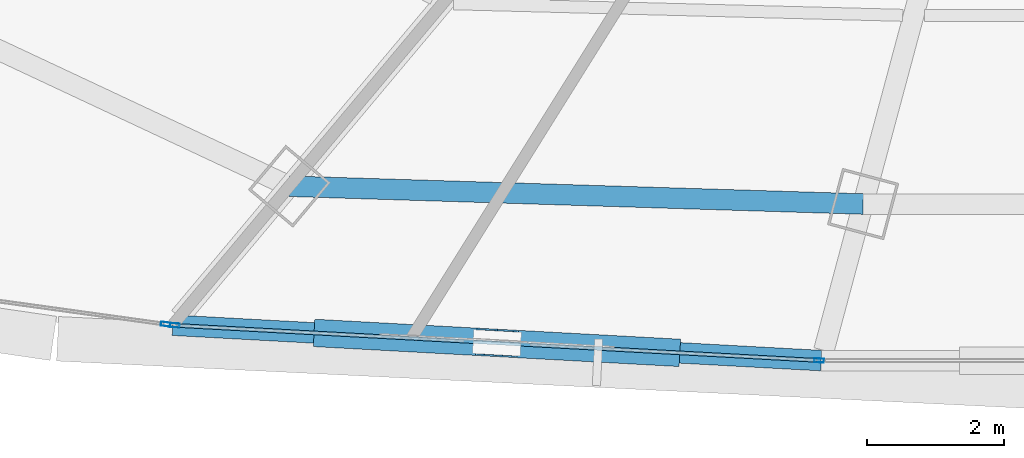
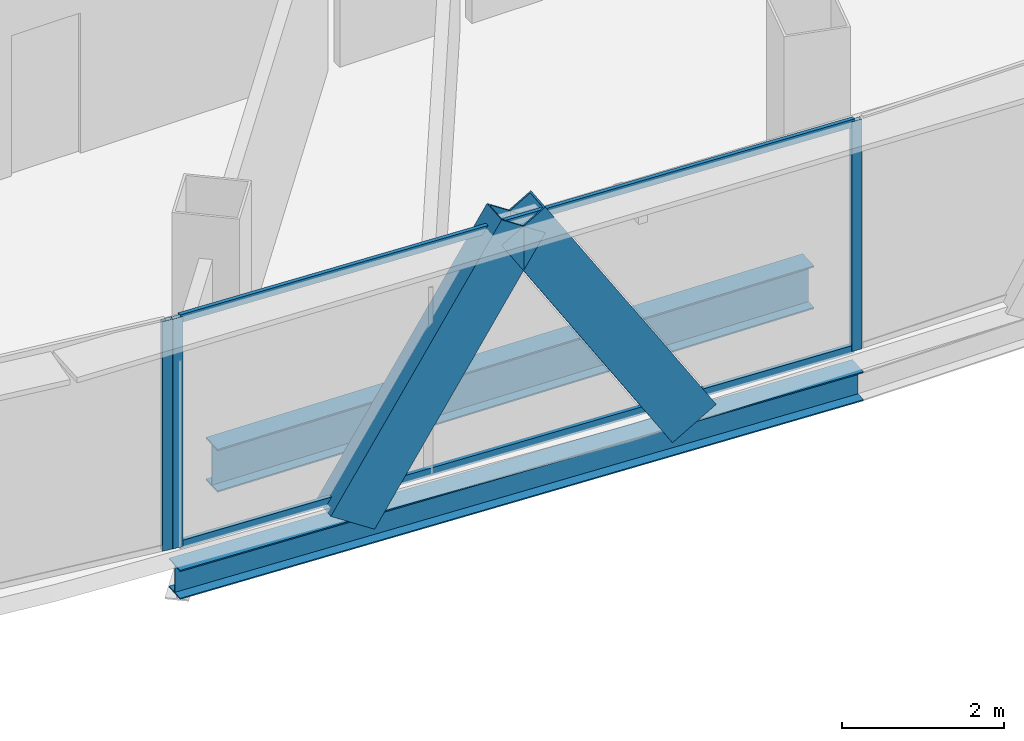
# One storey, part 6 of 36: 7 members, 2 beams, 2 elements without a shape of their own.
"""IFC4 building model written with IfcOpenShell, lengths in metres."""

from ifc_helpers import new_model, si_unit, direction, frame, origin, origin_2d, place, context, subcontext, project, spatial, hollow_rectangle, i_section, extrude, source, transform, mapped, material, layer, layer_set, material_profile, profile_set, type_object, element, aggregate, save


model = new_model("IFC4")

# Units and contexts
model_context = context("Model", 3, precision=1e-05, world=origin(), true_north=direction((0.0, 1.0)))
body_context = subcontext(model_context, "Body", "Model", "MODEL_VIEW")
ifc_project = project(units=[si_unit("LENGTHUNIT", "METRE"), si_unit("AREAUNIT", "SQUARE_METRE"), si_unit("VOLUMEUNIT", "CUBIC_METRE"), si_unit("PLANEANGLEUNIT", "RADIAN"), si_unit("MASSUNIT", "GRAM", prefix="KILO"), si_unit("THERMODYNAMICTEMPERATUREUNIT", "KELVIN"), si_unit("POWERUNIT", "WATT")], contexts=[model_context])

# Site, building, storey
site_placement = place(None, origin())
site = spatial("IfcSite", under=ifc_project, at=site_placement, CompositionType="ELEMENT")
building_placement = place(site_placement, origin())
building = spatial("IfcBuilding", under=site, at=building_placement, Name="Yunzhuo Pagoda Commons", CompositionType="ELEMENT")
storey_placement = place(building_placement, frame((0.0, 0.0, 244.530029296875)))
storey = spatial("IfcBuildingStorey", under=building, at=storey_placement, Name="L61", CompositionType="ELEMENT", Elevation=244.530029296875)

# Beams
ifc_material_1 = material(Name="Structural steel Q355B", Category="steel")
ifc_material_profile_1 = material_profile(ifc_material_1, i_section(OverallWidth=0.300048828125, OverallDepth=0.64990234375, WebThickness=0.012939453125, FlangeThickness=0.02197265625, at=origin_2d()), Name="Structural steel Q355B")
ifc_profile_set_1 = profile_set([ifc_material_profile_1], Name="Structural steel Q355B")
beam_type_1 = type_object("IfcBeamType", Name="B-RG2 Beam HN 650x300x13x22", PredefinedType="BEAM", material=ifc_profile_set_1)
shared_shape_1 = source(origin(), body_context, "Body", "SweptSolid", [
    extrude(i_section(OverallWidth=0.300048828125, OverallDepth=0.64990234375, WebThickness=0.012939453125, FlangeThickness=0.02197265625, at=origin_2d()), origin(), (0.0, 0.0, 1.0), 8.37939453125),
])
beam_1_placement = place(storey_placement, frame((35.593017578125, 18.913818359375, -0.5849609375), z_axis=(0.999519382133, -0.031000076447, 0.0), x_axis=(0.031000076447, 0.999519382133, 0.0)))
element("IfcBeam", 1, at=beam_1_placement, inside=storey, type_object=beam_type_1, Name="L61 column-ring beam 1", PredefinedType="BEAM", context=body_context, shape_type="MappedRepresentation", body=[
    mapped(shared_shape_1, transform((0.0, 0.0, 0.0), scale=1.0)),
])
ifc_material_profile_2 = material_profile(ifc_material_1, i_section(OverallWidth=0.300048828125, OverallDepth=0.43994140625, WebThickness=0.010986328125, FlangeThickness=0.01806640625, at=origin_2d()), Name="Structural steel Q355B")
ifc_profile_set_2 = profile_set([ifc_material_profile_2], Name="Structural steel Q355B")
beam_type_2 = type_object("IfcBeamType", Name="B-SP2 Beam HM 440x300x11x18", PredefinedType="BEAM", material=ifc_profile_set_2)
shared_shape_2 = source(origin(), body_context, "Body", "SweptSolid", [
    extrude(i_section(OverallWidth=0.300048828125, OverallDepth=0.43994140625, WebThickness=0.010986328125, FlangeThickness=0.01806640625, at=origin_2d()), origin(), (0.0, 0.0, 1.0), 9.4794921875),
])
beam_2_placement = place(storey_placement, frame((33.890869140625, 16.88525390625, -0.47998046875), z_axis=(0.998513924763, -0.054497174743, 0.0), x_axis=(0.054497174743, 0.998513924763, 0.0)))
element("IfcBeam", 2, at=beam_2_placement, inside=storey, type_object=beam_type_2, Name="L61 facade edge spandrel beam F1.1", PredefinedType="BEAM", context=body_context, shape_type="MappedRepresentation", body=[
    mapped(shared_shape_2, transform((0.0, 0.0, 0.0), scale=1.0)),
])

# Members
ifc_material_profile_3 = material_profile(ifc_material_1, hollow_rectangle(XDim=0.39990234375, YDim=0.719970703125, WallThickness=0.02392578125, at=origin_2d()), Name="Structural steel Q355B")
ifc_profile_set_3 = profile_set([ifc_material_profile_3], Name="Structural steel Q355B")
member_type_1 = type_object("IfcMemberType", Name="M-DL2 Brace BOX 720x400x24", PredefinedType="BRACE", material=ifc_profile_set_3)
shared_shape_3 = source(origin(), body_context, "Body", "SweptSolid", [
    extrude(hollow_rectangle(XDim=0.39990234375, YDim=0.719970703125, WallThickness=0.02392578125, at=origin_2d()), origin(), (0.0, 0.0, 1.0), 4.4189453125),
])
for number, where, z_axis, x_axis, name in (
    (3, (36.257080078125, 16.75634765625, -0.259765625), (0.535475748359, -0.029282103449, 0.844042819611), (0.054602695503, 0.998508160029, 0.0), "L61 facade diamond brace F1.1L"),
    (4, (40.98974609375, 16.497802734375, -0.259765625), (-0.535516019505, 0.02922603676, 0.844019212832), (-0.05449437193, -0.998514077731, 0.0), "L61 facade diamond brace F1.1R"),
):
    element("IfcMember", number, at=place(storey_placement, frame(where, z_axis=z_axis, x_axis=x_axis)), inside=storey, type_object=member_type_1, Name=name, PredefinedType="BRACE", context=body_context, shape_type="MappedRepresentation", body=[
        mapped(shared_shape_3, transform((0.0, 0.0, 0.0), scale=1.0)),
    ])

# Curtain wall, members
ifc_material_2 = material(Name="Anodized aluminium 6063-T6", Category="aluminium")
ifc_layer = layer(ifc_material_2, 0.139892578125)
ifc_layer_set = layer_set([ifc_layer], Name="Anodized aluminium 6063-T6")
curtain_wall_type = type_object("IfcCurtainWallType", Name="CW-HI High-Zone Ribbon Curtain Wall", PredefinedType="NOTDEFINED", material=ifc_layer_set)
curtain_wall_1_placement = place(storey_placement, origin())
curtain_wall_1 = element("IfcCurtainWall", 5, at=curtain_wall_1_placement, inside=storey, type_object=curtain_wall_type, Name="L61 curtain wall CW-L61-F1B2", PredefinedType="NOTDEFINED")
ifc_material_profile_4 = material_profile(ifc_material_2, hollow_rectangle(XDim=0.06005859375, YDim=0.139892578125, WallThickness=0.00341796875, at=origin_2d()), Name="Anodized aluminium 6063-T6")
ifc_profile_set_4 = profile_set([ifc_material_profile_4], Name="Anodized aluminium 6063-T6")
member_type_2 = type_object("IfcMemberType", Name="CW-HI-M Mullion RHS 140x60x3.5", PredefinedType="MULLION", material=ifc_profile_set_4)
shared_shape_4 = source(origin(), body_context, "Body", "SweptSolid", [
    extrude(hollow_rectangle(XDim=0.06005859375, YDim=0.139892578125, WallThickness=0.00341796875, at=origin_2d()), origin(), (0.0, 0.0, 1.0), 3.469970703125),
])
member_1_placement = place(storey_placement, frame((33.920654296875, 16.883544921875, 0.0), z_axis=(0.0, 0.0, 1.0), x_axis=(0.054497194278, 0.998513923697, 0.0)))
member_1 = element("IfcMember", 6, at=member_1_placement, type_object=member_type_2, Name="CW mullion 1", PredefinedType="MULLION", context=body_context, shape_type="MappedRepresentation", body=[
    mapped(shared_shape_4, transform((0.0, 0.0, 0.0), scale=1.0)),
])
member_2_placement = place(storey_placement, frame((43.326171875, 16.370361328125, 0.0), z_axis=(0.0, 0.0, 1.0), x_axis=(0.054497194278, 0.998513923697, 0.0)))
member_2 = element("IfcMember", 7, at=member_2_placement, type_object=member_type_2, Name="CW mullion 2", PredefinedType="MULLION", context=body_context, shape_type="MappedRepresentation", body=[
    mapped(shared_shape_4, transform((0.0, 0.0, 0.0), scale=1.0)),
])

# Curtain wall, member
curtain_wall_2_placement = place(storey_placement, origin())
curtain_wall_2 = element("IfcCurtainWall", 8, at=curtain_wall_2_placement, inside=storey, type_object=curtain_wall_type, Name="L61 curtain wall CW-L61-F1B1", PredefinedType="NOTDEFINED")
member_3_placement = place(storey_placement, frame((33.786865234375, 16.899658203125, 0.0), z_axis=(0.0, 0.0, 1.0), x_axis=(0.137250412651, 0.990536382082, 0.0)))
member_3 = element("IfcMember", 9, at=member_3_placement, type_object=member_type_2, Name="CW mullion 2", PredefinedType="MULLION", context=body_context, shape_type="MappedRepresentation", body=[
    mapped(shared_shape_4, transform((0.0, 0.0, 0.0), scale=1.0)),
])
aggregate(curtain_wall_2, [member_3])

# Member
ifc_material_profile_5 = material_profile(ifc_material_2, hollow_rectangle(XDim=0.054931640625, YDim=0.1201171875, WallThickness=0.00341796875, at=origin_2d()), Name="Anodized aluminium 6063-T6")
ifc_profile_set_5 = profile_set([ifc_material_profile_5], Name="Anodized aluminium 6063-T6")
member_type_3 = type_object("IfcMemberType", Name="CW-HI-T Transom RHS 120x55x3.5", PredefinedType="USERDEFINED", material=ifc_profile_set_5)
shared_shape_5 = source(origin(), body_context, "Body", "SweptSolid", [
    extrude(hollow_rectangle(XDim=0.054931640625, YDim=0.1201171875, WallThickness=0.00341796875, at=origin_2d()), origin(), (0.0, 0.0, 1.0), 9.359375),
])
member_4_placement = place(storey_placement, frame((33.95068359375, 16.882080078125, 0.027587890625), z_axis=(0.998514211569, -0.054491919537, 0.0), x_axis=(0.054491919537, 0.998514211569, 0.0)))
member_4 = element("IfcMember", 10, at=member_4_placement, type_object=member_type_3, Name="CW transom 1.1", ObjectType="TRANSOM", PredefinedType="USERDEFINED", context=body_context, shape_type="MappedRepresentation", body=[
    mapped(shared_shape_5, transform((0.0, 0.0, 0.0), scale=1.0)),
])

member_5_placement = place(storey_placement, frame((33.95068359375, 16.882080078125, 3.4423828125), z_axis=(0.998514211569, -0.054491919537, 0.0), x_axis=(0.054491919537, 0.998514211569, 0.0)))
member_5 = element("IfcMember", 11, at=member_5_placement, type_object=member_type_3, Name="CW transom 1.2", ObjectType="TRANSOM", PredefinedType="USERDEFINED", context=body_context, shape_type="MappedRepresentation", body=[
    mapped(shared_shape_5, transform((0.0, 0.0, 0.0), scale=1.0)),
])

aggregate(curtain_wall_1, [member_1, member_2, member_4, member_5])

save(model, "model.ifc")
